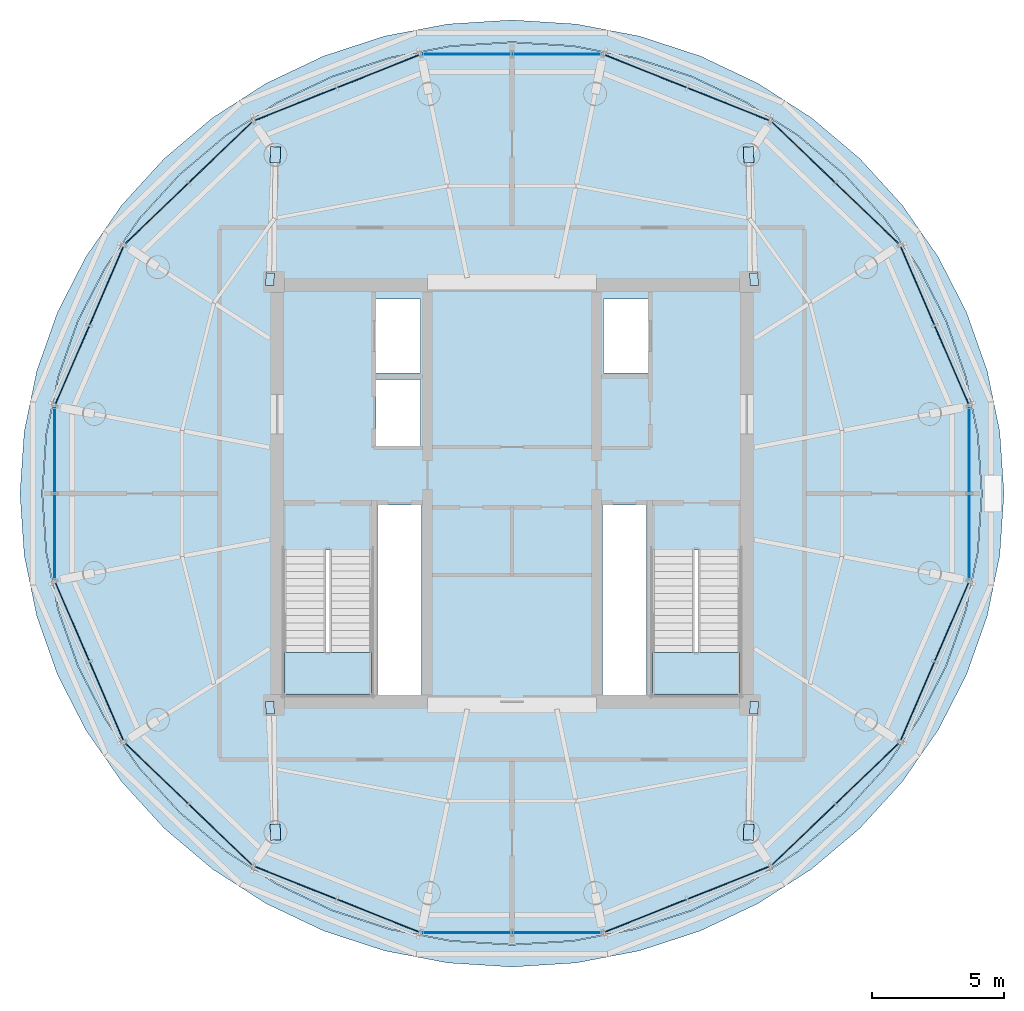
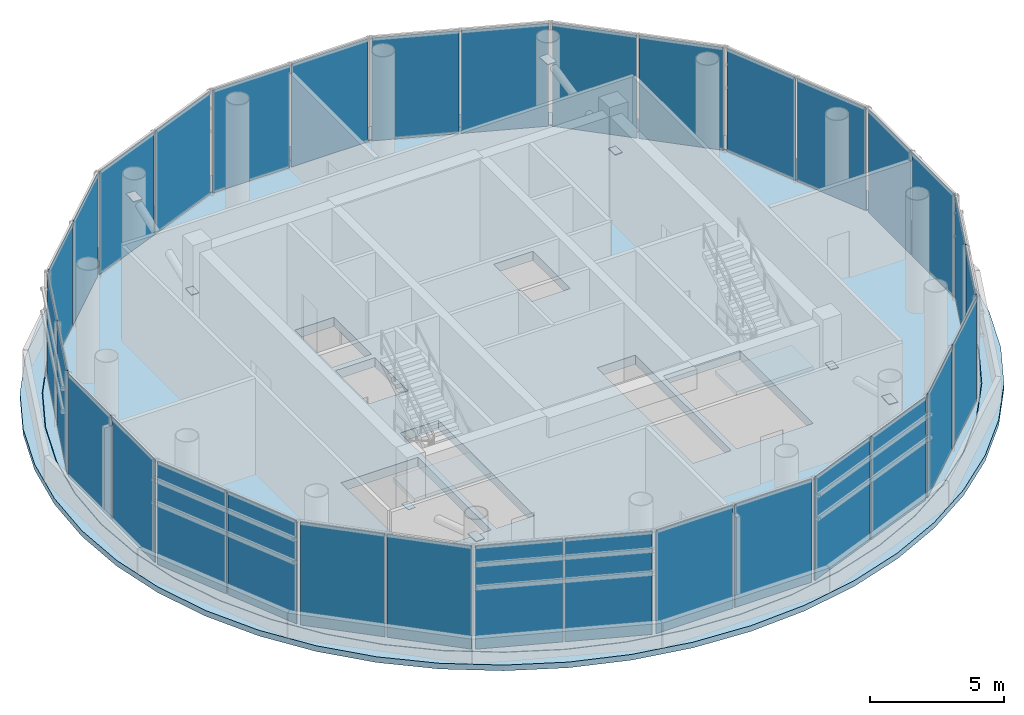
# One storey, part 10 of 15: 40 plates, 4 slabs, 18 elements without a shape of their own.
"""IFC4 building model written with IfcOpenShell, lengths in metres."""

from ifc_helpers import new_model, si_unit, direction, frame, origin, origin_2d, place, context, subcontext, project, spatial, polyline, rectangle, outline, extrude, source, transform, mapped, material, layer, layer_set, type_object, element, aggregate, save


model = new_model("IFC4")

# Units and contexts
model_context = context("Model", 3, precision=1e-05, world=origin(), true_north=direction((-0.2419218956, 0.970295726276)))
body_context = subcontext(model_context, "Body", "Model", "MODEL_VIEW")
ifc_project = project(units=[si_unit("LENGTHUNIT", "METRE"), si_unit("AREAUNIT", "SQUARE_METRE"), si_unit("VOLUMEUNIT", "CUBIC_METRE"), si_unit("PLANEANGLEUNIT", "RADIAN"), si_unit("MASSUNIT", "GRAM", prefix="KILO")], contexts=[model_context])

# Site, building, storey
site_placement = place(None, origin())
site = spatial("IfcSite", under=ifc_project, at=site_placement, CompositionType="ELEMENT")
building_placement = place(site_placement, origin())
building = spatial("IfcBuilding", under=site, at=building_placement, Name="Cobrevalo Terracotta Tower", CompositionType="ELEMENT")
storey_placement = place(building_placement, frame((0.0, 0.0, 306.10009765625)))
storey = spatial("IfcBuildingStorey", under=building, at=storey_placement, Name="L80", CompositionType="ELEMENT", Elevation=306.10009765625)

# Slab
ifc_material_1 = material(Name="Concrete C50", Category="concrete")
ifc_layer_1 = layer(ifc_material_1, 0.419921875)
ifc_layer_set_1 = layer_set([ifc_layer_1], Name="Concrete C50")
slab_type_1 = type_object("IfcSlabType", Name="Crown transfer mechanical deck 420 mm", PredefinedType="FLOOR", material=ifc_layer_set_1)
slab_1_placement = place(storey_placement, frame((0.0, 0.0, -0.420166015625)))
element("IfcSlab", 1, at=slab_1_placement, inside=storey, type_object=slab_type_1, Name="L80 indoor elliptical floor slab", PredefinedType="FLOOR", context=body_context, shape_type="SweptSolid", body=[
    extrude(outline(polyline([(55.59814453125, 24.574462890625), (55.145263671875, 22.38720703125), (54.39892578125, 20.275146484375), (53.3720703125, 18.27490234375), (52.08203125, 16.420654296875), (50.551025390625, 14.743896484375), (48.805419921875, 13.2734375), (46.875, 12.0341796875), (44.792724609375, 11.0478515625), (42.593994140625, 10.3310546875), (40.31689453125, 9.895751953125), (38.0, 9.75), (35.68310546875, 9.895751953125), (33.406005859375, 10.3310546875), (31.207275390625, 11.0478515625), (29.125, 12.0341796875), (27.194580078125, 13.2734375), (25.44873046875, 14.743896484375), (23.91796875, 16.420654296875), (22.6279296875, 18.27490234375), (21.60107421875, 20.275146484375), (20.854736328125, 22.38720703125), (20.40185546875, 24.574462890625), (20.25, 26.800048828125), (20.40185546875, 29.025390625), (20.854736328125, 31.212890625), (21.60107421875, 33.32470703125), (22.6279296875, 35.324951171875), (23.91796875, 37.179443359375), (25.44873046875, 38.856201171875), (27.194580078125, 40.32666015625), (29.125, 41.565673828125), (31.207275390625, 42.55224609375), (33.406005859375, 43.26904296875), (35.68310546875, 43.7041015625), (38.0, 43.85009765625), (40.31689453125, 43.7041015625), (42.593994140625, 43.26904296875), (44.792724609375, 42.55224609375), (46.875, 41.565673828125), (48.805419921875, 40.32666015625), (50.551025390625, 38.856201171875), (52.08203125, 37.179443359375), (53.3720703125, 35.324951171875), (54.39892578125, 33.32470703125), (55.145263671875, 31.212890625), (55.59814453125, 29.025390625), (55.75, 26.800048828125), (55.59814453125, 24.574462890625)]), holes=[polyline([(32.695068359375, 24.659912109375), (29.375, 24.659912109375), (29.375, 19.175048828125), (32.695068359375, 19.175048828125), (32.695068359375, 24.659912109375)]), polyline([(46.625, 19.175048828125), (46.625, 24.659912109375), (43.304931640625, 24.659912109375), (43.304931640625, 19.175048828125), (46.625, 19.175048828125)]), polyline([(34.574951171875, 26.360107421875), (32.919921875, 26.360107421875), (32.919921875, 19.175048828125), (34.574951171875, 19.175048828125), (34.574951171875, 26.360107421875)]), polyline([(43.080078125, 26.360107421875), (41.425048828125, 26.360107421875), (41.425048828125, 19.175048828125), (43.080078125, 19.175048828125), (43.080078125, 26.360107421875)]), polyline([(34.550048828125, 31.10009765625), (32.85009765625, 31.10009765625), (32.85009765625, 28.60009765625), (34.550048828125, 28.60009765625), (34.550048828125, 31.10009765625)]), polyline([(34.550048828125, 34.14990234375), (32.85009765625, 34.14990234375), (32.85009765625, 31.35009765625), (34.550048828125, 31.35009765625), (34.550048828125, 34.14990234375)]), polyline([(43.14990234375, 34.14990234375), (41.449951171875, 34.14990234375), (41.449951171875, 31.35009765625), (43.14990234375, 31.35009765625), (43.14990234375, 34.14990234375)])]), origin(), (0.0, 0.0, 1.0), 0.420166015625),
])

# Stair, slab
stair_type = type_object("IfcStairType", Name="Core protected escape dogleg stair 1600", PredefinedType="HALF_TURN_STAIR", material=ifc_material_1)
stair_1_placement = place(storey_placement, origin())
stair_1 = element("IfcStair", 2, at=stair_1_placement, inside=storey, type_object=stair_type, Name="L80 Protected exit stair ST-1", PredefinedType="HALF_TURN_STAIR")
ifc_layer_2 = layer(ifc_material_1, 0.199951171875)
ifc_layer_set_2 = layer_set([ifc_layer_2], Name="Concrete C50")
slab_type_2 = type_object("IfcSlabType", Name="Reinforced Concrete Stair Landing 200", PredefinedType="LANDING", material=ifc_layer_set_2)
slab_2_placement = place(storey_placement, frame((0.0, 0.0, 2.39990234375)))
slab_2 = element("IfcSlab", 3, at=slab_2_placement, type_object=slab_type_2, Name="ST-1 landing 1", PredefinedType="LANDING", context=body_context, shape_type="SweptSolid", body=[
    extrude(outline(polyline([(29.375, 20.780029296875), (29.375, 19.175048828125), (32.695068359375, 19.175048828125), (32.695068359375, 20.780029296875), (29.375, 20.780029296875)])), origin(), (0.0, 0.0, 1.0), 0.199951171875),
])
aggregate(stair_1, [slab_2])

stair_2_placement = place(storey_placement, origin())
stair_2 = element("IfcStair", 4, at=stair_2_placement, inside=storey, type_object=stair_type, Name="L80 Protected exit stair ST-2", PredefinedType="HALF_TURN_STAIR")
slab_3_placement = place(storey_placement, frame((0.0, 0.0, 2.39990234375)))
slab_3 = element("IfcSlab", 5, at=slab_3_placement, type_object=slab_type_2, Name="ST-2 landing 1", PredefinedType="LANDING", context=body_context, shape_type="SweptSolid", body=[
    extrude(outline(polyline([(43.304931640625, 20.780029296875), (43.304931640625, 19.175048828125), (46.625, 19.175048828125), (46.625, 20.780029296875), (43.304931640625, 20.780029296875)])), origin(), (0.0, 0.0, 1.0), 0.199951171875),
])
aggregate(stair_2, [slab_3])

# Slab
ifc_material_2 = material(Name="Concrete C45", Category="concrete")
ifc_layer_3 = layer(ifc_material_2, 0.260009765625)
ifc_layer_set_3 = layer_set([ifc_layer_3], Name="Concrete C45")
slab_type_3 = type_object("IfcSlabType", Name="Zone setback structural roof slab 260 mm", PredefinedType="ROOF", material=ifc_layer_set_3)
slab_4_placement = place(storey_placement, frame((0.0, 0.0, -0.260009765625)))
element("IfcSlab", 6, at=slab_4_placement, inside=storey, type_object=slab_type_3, Name="L80 zone setback roof collar slab 1", PredefinedType="ROOF", context=body_context, shape_type="SweptSolid", body=[
    extrude(outline(polyline([(56.44091796875, 24.463623046875), (55.96630859375, 22.167236328125), (55.18408203125, 19.949951171875), (54.108154296875, 17.85009765625), (52.75634765625, 15.903076171875), (51.152099609375, 14.142822265625), (49.322998046875, 12.598876953125), (47.300048828125, 11.298095703125), (45.117919921875, 10.262451171875), (42.81396484375, 9.510009765625), (40.427734375, 9.05322265625), (38.0, 8.89990234375), (35.572265625, 9.05322265625), (33.18603515625, 9.510009765625), (30.882080078125, 10.262451171875), (28.699951171875, 11.298095703125), (26.677001953125, 12.598876953125), (24.847900390625, 14.142822265625), (23.24365234375, 15.903076171875), (21.891845703125, 17.85009765625), (20.81591796875, 19.949951171875), (20.03369140625, 22.167236328125), (19.55908203125, 24.463623046875), (19.39990234375, 26.800048828125), (19.55908203125, 29.136474609375), (20.03369140625, 31.432861328125), (20.81591796875, 33.650146484375), (21.891845703125, 35.75), (23.24365234375, 37.69677734375), (24.847900390625, 39.457275390625), (26.677001953125, 41.0009765625), (28.699951171875, 42.3017578125), (30.882080078125, 43.33740234375), (33.18603515625, 44.090087890625), (35.572265625, 44.546875), (38.0, 44.699951171875), (40.427734375, 44.546875), (42.81396484375, 44.090087890625), (45.117919921875, 43.33740234375), (47.300048828125, 42.3017578125), (49.322998046875, 41.0009765625), (51.152099609375, 39.457275390625), (52.75634765625, 37.69677734375), (54.108154296875, 35.75), (55.18408203125, 33.650146484375), (55.96630859375, 31.432861328125), (56.44091796875, 29.136474609375), (56.60009765625, 26.800048828125), (56.44091796875, 24.463623046875)]), holes=[polyline([(55.617919921875, 29.028076171875), (55.16455078125, 31.218017578125), (54.417236328125, 33.33251953125), (53.38916015625, 35.3349609375), (52.097900390625, 37.191650390625), (50.565185546875, 38.870361328125), (48.817626953125, 40.342529296875), (46.885009765625, 41.5830078125), (44.80029296875, 42.570556640625), (42.59912109375, 43.288330078125), (40.3193359375, 43.723876953125), (38.0, 43.8701171875), (35.6806640625, 43.723876953125), (33.40087890625, 43.288330078125), (31.19970703125, 42.570556640625), (29.114990234375, 41.5830078125), (27.182373046875, 40.342529296875), (25.434814453125, 38.870361328125), (23.902099609375, 37.191650390625), (22.61083984375, 35.3349609375), (21.582763671875, 33.33251953125), (20.83544921875, 31.218017578125), (20.382080078125, 29.028076171875), (20.22998046875, 26.800048828125), (20.382080078125, 24.572021484375), (20.83544921875, 22.382080078125), (21.582763671875, 20.267578125), (22.61083984375, 18.264892578125), (23.902099609375, 16.408447265625), (25.434814453125, 14.729736328125), (27.182373046875, 13.257568359375), (29.114990234375, 12.016845703125), (31.19970703125, 11.029296875), (33.40087890625, 10.311767578125), (35.6806640625, 9.8759765625), (38.0, 9.72998046875), (40.3193359375, 9.8759765625), (42.59912109375, 10.311767578125), (44.80029296875, 11.029296875), (46.885009765625, 12.016845703125), (48.817626953125, 13.257568359375), (50.565185546875, 14.729736328125), (52.097900390625, 16.408447265625), (53.38916015625, 18.264892578125), (54.417236328125, 20.267578125), (55.16455078125, 22.382080078125), (55.617919921875, 24.572021484375), (55.77001953125, 26.800048828125), (55.617919921875, 29.028076171875)])]), origin(), (0.0, 0.0, 1.0), 0.260009765625),
])

# Plates
ifc_material_3 = material(Name="Steel S355", Category="steel")
ifc_layer_4 = layer(ifc_material_3, 0.02490234375)
ifc_layer_set_4 = layer_set([ifc_layer_4], Name="Steel S355")
plate_type_1 = type_object("IfcPlateType", Name="Structural Cap Plate 480x320x25 (Steel S355)", PredefinedType="USERDEFINED", material=ifc_layer_set_4)
shared_shape_1 = source(origin(), body_context, "Body", "SweptSolid", [
    extrude(rectangle(XDim=0.47998046875, YDim=0.320068359375, at=origin_2d()), origin(), (0.0, 0.0, 1.0), 0.02490234375),
])
for number, where, z_axis, x_axis, name in (
    (7, (47.14990234375, 34.89990234375, 2.737548828125), (0.0, 0.0, 1.0), (-0.043600207008, 0.99904905883, 0.0), "L80 hollow end cap plate CAP-CRN0-L80-01"),
    (8, (28.85009765625, 34.89990234375, 2.737548828125), (0.0, 0.0, 1.0), (0.043600207008, 0.99904905883, 0.0), "L80 hollow end cap plate CAP-CRN0-L80-02"),
    (9, (28.85009765625, 18.699951171875, 2.737548828125), (0.0, 0.0, 1.0), (0.043600207008, -0.99904905883, 0.0), "L80 hollow end cap plate CAP-CRN0-L80-03"),
    (10, (47.14990234375, 18.699951171875, 2.737548828125), (0.0, 0.0, 1.0), (-0.043600207008, -0.99904905883, 0.0), "L80 hollow end cap plate CAP-CRN0-L80-04"),
):
    element("IfcPlate", number, at=place(storey_placement, frame(where, z_axis=z_axis, x_axis=x_axis)), inside=storey, type_object=plate_type_1, Name=name, ObjectType="CAP PLATE", PredefinedType="USERDEFINED", context=body_context, shape_type="MappedRepresentation", body=[
        mapped(shared_shape_1, transform((0.0, 0.0, 0.0), scale=1.0)),
    ])
ifc_layer_5 = layer(ifc_material_3, 0.028076171875)
ifc_layer_set_5 = layer_set([ifc_layer_5], Name="Steel S355")
plate_type_2 = type_object("IfcPlateType", Name="Structural Gusset Plate 600x380x28 (Steel S355)", PredefinedType="SHEET", material=ifc_layer_set_5)
shared_shape_2 = source(origin(), body_context, "Body", "SweptSolid", [
    extrude(rectangle(XDim=0.60009765625, YDim=0.3798828125, at=origin_2d()), origin(), (0.0, 0.0, 1.0), 0.028076171875),
])
for number, where, z_axis, x_axis, name in (
    (11, (46.944580078125, 39.604736328125, 4.11572265625), (0.0, 0.0, 1.0), (-0.043600207008, 0.99904905883, 0.0), "L80 hollow end cap plate GUS-CRN1-L80-01"),
    (12, (29.055419921875, 39.604736328125, 4.11572265625), (0.0, 0.0, 1.0), (0.043600207008, 0.99904905883, 0.0), "L80 hollow end cap plate GUS-CRN1-L80-02"),
    (13, (29.055419921875, 13.995361328125, 4.11572265625), (0.0, 0.0, 1.0), (0.043600207008, -0.99904905883, 0.0), "L80 hollow end cap plate GUS-CRN1-L80-03"),
    (14, (46.944580078125, 13.995361328125, 4.11572265625), (0.0, 0.0, 1.0), (-0.043600207008, -0.99904905883, 0.0), "L80 hollow end cap plate GUS-CRN1-L80-04"),
):
    element("IfcPlate", number, at=place(storey_placement, frame(where, z_axis=z_axis, x_axis=x_axis)), inside=storey, type_object=plate_type_2, Name=name, PredefinedType="SHEET", context=body_context, shape_type="MappedRepresentation", body=[
        mapped(shared_shape_2, transform((0.0, 0.0, 0.0), scale=1.0)),
    ])

# Curtain wall, plates
ifc_material_4 = material(Name="Anodized aluminium", Category="aluminium")
curtain_wall_type = type_object("IfcCurtainWallType", Name="Faceted glass-point crown structural glazing system CW-CR", PredefinedType="NOTDEFINED", material=ifc_material_4)
curtain_wall_1_placement = place(storey_placement, origin())
curtain_wall_1 = element("IfcCurtainWall", 15, at=curtain_wall_1_placement, inside=storey, type_object=curtain_wall_type, Name="L80 curtain wall CW-CRN-L80-S01", PredefinedType="NOTDEFINED")
ifc_material_5 = material(Name="Structural laminated low-iron crown glass", Category="glass")
ifc_layer_6 = layer(ifc_material_5, 0.035888671875)
ifc_layer_set_6 = layer_set([ifc_layer_6], Name="Structural laminated low-iron crown glass")
plate_type_3 = type_object("IfcPlateType", Name="Crown faceted low-iron laminated glass panel 36 mm", PredefinedType="CURTAIN_PANEL", material=ifc_layer_set_6)
shared_shape_3 = source(origin(), body_context, "Body", "SweptSolid", [
    extrude(rectangle(XDim=3.203125, YDim=0.035888671875, at=origin_2d()), origin(), (0.0, 0.0, 1.0), 4.699951171875),
])
plate_1_placement = place(storey_placement, frame((54.625244140625, 31.64697265625, 0.0400390625), z_axis=(0.0, 0.0, 1.0), x_axis=(-0.396066411085, 0.91822186753, 0.0)))
plate_1 = element("IfcPlate", 16, at=plate_1_placement, type_object=plate_type_3, Name="CW-CRN-L80-S01 glazing panel B01", PredefinedType="CURTAIN_PANEL", context=body_context, shape_type="MappedRepresentation", body=[
    mapped(shared_shape_3, transform((0.0, 0.0, 0.0), scale=1.0)),
])
plate_2_placement = place(storey_placement, frame((53.324951171875, 34.66162109375, 0.0400390625), z_axis=(0.0, 0.0, 1.0), x_axis=(-0.396066411085, 0.91822186753, 0.0)))
plate_2 = element("IfcPlate", 17, at=plate_2_placement, type_object=plate_type_3, Name="CW-CRN-L80-S01 glazing panel B02", PredefinedType="CURTAIN_PANEL", context=body_context, shape_type="MappedRepresentation", body=[
    mapped(shared_shape_3, transform((0.0, 0.0, 0.0), scale=1.0)),
])
aggregate(curtain_wall_1, [plate_1, plate_2])

curtain_wall_2_placement = place(storey_placement, origin())
curtain_wall_2 = element("IfcCurtainWall", 18, at=curtain_wall_2_placement, inside=storey, type_object=curtain_wall_type, Name="L80 curtain wall CW-CRN-L80-S07", PredefinedType="NOTDEFINED")
plate_3_placement = place(storey_placement, frame((22.675048828125, 34.66162109375, 0.0400390625), z_axis=(0.0, 0.0, 1.0), x_axis=(-0.396066411085, -0.91822186753, 0.0)))
plate_3 = element("IfcPlate", 19, at=plate_3_placement, type_object=plate_type_3, Name="CW-CRN-L80-S07 glazing panel B01", PredefinedType="CURTAIN_PANEL", context=body_context, shape_type="MappedRepresentation", body=[
    mapped(shared_shape_3, transform((0.0, 0.0, 0.0), scale=1.0)),
])
plate_4_placement = place(storey_placement, frame((21.374755859375, 31.64697265625, 0.0400390625), z_axis=(0.0, 0.0, 1.0), x_axis=(-0.396066411085, -0.91822186753, 0.0)))
plate_4 = element("IfcPlate", 20, at=plate_4_placement, type_object=plate_type_3, Name="CW-CRN-L80-S07 glazing panel B02", PredefinedType="CURTAIN_PANEL", context=body_context, shape_type="MappedRepresentation", body=[
    mapped(shared_shape_3, transform((0.0, 0.0, 0.0), scale=1.0)),
])
aggregate(curtain_wall_2, [plate_3, plate_4])

curtain_wall_3_placement = place(storey_placement, origin())
curtain_wall_3 = element("IfcCurtainWall", 21, at=curtain_wall_3_placement, inside=storey, type_object=curtain_wall_type, Name="L80 curtain wall CW-CRN-L80-S09", PredefinedType="NOTDEFINED")
plate_5_placement = place(storey_placement, frame((21.374755859375, 21.953125, 0.0400390625), z_axis=(0.0, 0.0, 1.0), x_axis=(0.396066411085, -0.91822186753, 0.0)))
plate_5 = element("IfcPlate", 22, at=plate_5_placement, type_object=plate_type_3, Name="CW-CRN-L80-S09 glazing panel B01", PredefinedType="CURTAIN_PANEL", context=body_context, shape_type="MappedRepresentation", body=[
    mapped(shared_shape_3, transform((0.0, 0.0, 0.0), scale=1.0)),
])
plate_6_placement = place(storey_placement, frame((22.675048828125, 18.938232421875, 0.0400390625), z_axis=(0.0, 0.0, 1.0), x_axis=(0.396066411085, -0.91822186753, 0.0)))
plate_6 = element("IfcPlate", 23, at=plate_6_placement, type_object=plate_type_3, Name="CW-CRN-L80-S09 glazing panel B02", PredefinedType="CURTAIN_PANEL", context=body_context, shape_type="MappedRepresentation", body=[
    mapped(shared_shape_3, transform((0.0, 0.0, 0.0), scale=1.0)),
])
aggregate(curtain_wall_3, [plate_5, plate_6])

curtain_wall_4_placement = place(storey_placement, origin())
curtain_wall_4 = element("IfcCurtainWall", 24, at=curtain_wall_4_placement, inside=storey, type_object=curtain_wall_type, Name="L80 curtain wall CW-CRN-L80-S15", PredefinedType="NOTDEFINED")
plate_7_placement = place(storey_placement, frame((53.324951171875, 18.938232421875, 0.0400390625), z_axis=(0.0, 0.0, 1.0), x_axis=(0.396066411085, 0.91822186753, 0.0)))
plate_7 = element("IfcPlate", 25, at=plate_7_placement, type_object=plate_type_3, Name="CW-CRN-L80-S15 glazing panel B01", PredefinedType="CURTAIN_PANEL", context=body_context, shape_type="MappedRepresentation", body=[
    mapped(shared_shape_3, transform((0.0, 0.0, 0.0), scale=1.0)),
])
plate_8_placement = place(storey_placement, frame((54.625244140625, 21.953125, 0.0400390625), z_axis=(0.0, 0.0, 1.0), x_axis=(0.396066411085, 0.91822186753, 0.0)))
plate_8 = element("IfcPlate", 26, at=plate_8_placement, type_object=plate_type_3, Name="CW-CRN-L80-S15 glazing panel B02", PredefinedType="CURTAIN_PANEL", context=body_context, shape_type="MappedRepresentation", body=[
    mapped(shared_shape_3, transform((0.0, 0.0, 0.0), scale=1.0)),
])
aggregate(curtain_wall_4, [plate_7, plate_8])

curtain_wall_5_placement = place(storey_placement, origin())
curtain_wall_5 = element("IfcCurtainWall", 27, at=curtain_wall_5_placement, inside=storey, type_object=curtain_wall_type, Name="L80 curtain wall CW-CRN-L80-S02", PredefinedType="NOTDEFINED")
shared_shape_4 = source(origin(), body_context, "Body", "SweptSolid", [
    extrude(rectangle(XDim=3.251953125, YDim=0.035888671875, at=origin_2d()), origin(), (0.0, 0.0, 1.0), 4.699951171875),
])
plate_9_placement = place(storey_placement, frame((51.428466796875, 37.387451171875, 0.0400390625), z_axis=(0.0, 0.0, 1.0), x_axis=(-0.721280471839, 0.692643112248, 0.0)))
plate_9 = element("IfcPlate", 28, at=plate_9_placement, type_object=plate_type_3, Name="CW-CRN-L80-S02 glazing panel B01", PredefinedType="CURTAIN_PANEL", context=body_context, shape_type="MappedRepresentation", body=[
    mapped(shared_shape_4, transform((0.0, 0.0, 0.0), scale=1.0)),
])
plate_10_placement = place(storey_placement, frame((49.025146484375, 39.695068359375, 0.0400390625), z_axis=(0.0, 0.0, 1.0), x_axis=(-0.721280471839, 0.692643112248, 0.0)))
plate_10 = element("IfcPlate", 29, at=plate_10_placement, type_object=plate_type_3, Name="CW-CRN-L80-S02 glazing panel B02", PredefinedType="CURTAIN_PANEL", context=body_context, shape_type="MappedRepresentation", body=[
    mapped(shared_shape_4, transform((0.0, 0.0, 0.0), scale=1.0)),
])
aggregate(curtain_wall_5, [plate_9, plate_10])

curtain_wall_6_placement = place(storey_placement, origin())
curtain_wall_6 = element("IfcCurtainWall", 30, at=curtain_wall_6_placement, inside=storey, type_object=curtain_wall_type, Name="L80 curtain wall CW-CRN-L80-S06", PredefinedType="NOTDEFINED")
plate_11_placement = place(storey_placement, frame((26.974853515625, 39.695068359375, 0.0400390625), z_axis=(0.0, 0.0, 1.0), x_axis=(-0.721280471839, -0.692643112248, 0.0)))
plate_11 = element("IfcPlate", 31, at=plate_11_placement, type_object=plate_type_3, Name="CW-CRN-L80-S06 glazing panel B01", PredefinedType="CURTAIN_PANEL", context=body_context, shape_type="MappedRepresentation", body=[
    mapped(shared_shape_4, transform((0.0, 0.0, 0.0), scale=1.0)),
])
plate_12_placement = place(storey_placement, frame((24.571533203125, 37.387451171875, 0.0400390625), z_axis=(0.0, 0.0, 1.0), x_axis=(-0.721280471839, -0.692643112248, 0.0)))
plate_12 = element("IfcPlate", 32, at=plate_12_placement, type_object=plate_type_3, Name="CW-CRN-L80-S06 glazing panel B02", PredefinedType="CURTAIN_PANEL", context=body_context, shape_type="MappedRepresentation", body=[
    mapped(shared_shape_4, transform((0.0, 0.0, 0.0), scale=1.0)),
])
aggregate(curtain_wall_6, [plate_11, plate_12])

curtain_wall_7_placement = place(storey_placement, origin())
curtain_wall_7 = element("IfcCurtainWall", 33, at=curtain_wall_7_placement, inside=storey, type_object=curtain_wall_type, Name="L80 curtain wall CW-CRN-L80-S10", PredefinedType="NOTDEFINED")
plate_13_placement = place(storey_placement, frame((24.571533203125, 16.212646484375, 0.0400390625), z_axis=(0.0, 0.0, 1.0), x_axis=(0.721280471839, -0.692643112248, 0.0)))
plate_13 = element("IfcPlate", 34, at=plate_13_placement, type_object=plate_type_3, Name="CW-CRN-L80-S10 glazing panel B01", PredefinedType="CURTAIN_PANEL", context=body_context, shape_type="MappedRepresentation", body=[
    mapped(shared_shape_4, transform((0.0, 0.0, 0.0), scale=1.0)),
])
plate_14_placement = place(storey_placement, frame((26.974853515625, 13.90478515625, 0.0400390625), z_axis=(0.0, 0.0, 1.0), x_axis=(0.721280471839, -0.692643112248, 0.0)))
plate_14 = element("IfcPlate", 35, at=plate_14_placement, type_object=plate_type_3, Name="CW-CRN-L80-S10 glazing panel B02", PredefinedType="CURTAIN_PANEL", context=body_context, shape_type="MappedRepresentation", body=[
    mapped(shared_shape_4, transform((0.0, 0.0, 0.0), scale=1.0)),
])
aggregate(curtain_wall_7, [plate_13, plate_14])

curtain_wall_8_placement = place(storey_placement, origin())
curtain_wall_8 = element("IfcCurtainWall", 36, at=curtain_wall_8_placement, inside=storey, type_object=curtain_wall_type, Name="L80 curtain wall CW-CRN-L80-S14", PredefinedType="NOTDEFINED")
plate_15_placement = place(storey_placement, frame((49.025146484375, 13.90478515625, 0.0400390625), z_axis=(0.0, 0.0, 1.0), x_axis=(0.721280471839, 0.692643112248, 0.0)))
plate_15 = element("IfcPlate", 37, at=plate_15_placement, type_object=plate_type_3, Name="CW-CRN-L80-S14 glazing panel B01", PredefinedType="CURTAIN_PANEL", context=body_context, shape_type="MappedRepresentation", body=[
    mapped(shared_shape_4, transform((0.0, 0.0, 0.0), scale=1.0)),
])
plate_16_placement = place(storey_placement, frame((51.428466796875, 16.212646484375, 0.0400390625), z_axis=(0.0, 0.0, 1.0), x_axis=(0.721280471839, 0.692643112248, 0.0)))
plate_16 = element("IfcPlate", 38, at=plate_16_placement, type_object=plate_type_3, Name="CW-CRN-L80-S14 glazing panel B02", PredefinedType="CURTAIN_PANEL", context=body_context, shape_type="MappedRepresentation", body=[
    mapped(shared_shape_4, transform((0.0, 0.0, 0.0), scale=1.0)),
])
aggregate(curtain_wall_8, [plate_15, plate_16])

curtain_wall_9_placement = place(storey_placement, origin())
curtain_wall_9 = element("IfcCurtainWall", 39, at=curtain_wall_9_placement, inside=storey, type_object=curtain_wall_type, Name="L80 curtain wall CW-CRN-L80-S03", PredefinedType="NOTDEFINED")
shared_shape_5 = source(origin(), body_context, "Body", "SweptSolid", [
    extrude(rectangle(XDim=3.2998046875, YDim=0.035888671875, at=origin_2d()), origin(), (0.0, 0.0, 1.0), 4.699951171875),
])
plate_17_placement = place(storey_placement, frame((46.187255859375, 41.51611328125, 0.0400390625), z_axis=(0.0, 0.0, 1.0), x_axis=(-0.929190639756, 0.36960080491, 0.0)))
plate_17 = element("IfcPlate", 40, at=plate_17_placement, type_object=plate_type_3, Name="CW-CRN-L80-S03 glazing panel B01", PredefinedType="CURTAIN_PANEL", context=body_context, shape_type="MappedRepresentation", body=[
    mapped(shared_shape_5, transform((0.0, 0.0, 0.0), scale=1.0)),
])
plate_18_placement = place(storey_placement, frame((43.046875, 42.765380859375, 0.0400390625), z_axis=(0.0, 0.0, 1.0), x_axis=(-0.929190639756, 0.36960080491, 0.0)))
plate_18 = element("IfcPlate", 41, at=plate_18_placement, type_object=plate_type_3, Name="CW-CRN-L80-S03 glazing panel B02", PredefinedType="CURTAIN_PANEL", context=body_context, shape_type="MappedRepresentation", body=[
    mapped(shared_shape_5, transform((0.0, 0.0, 0.0), scale=1.0)),
])
aggregate(curtain_wall_9, [plate_17, plate_18])

curtain_wall_10_placement = place(storey_placement, origin())
curtain_wall_10 = element("IfcCurtainWall", 42, at=curtain_wall_10_placement, inside=storey, type_object=curtain_wall_type, Name="L80 curtain wall CW-CRN-L80-S05", PredefinedType="NOTDEFINED")
plate_19_placement = place(storey_placement, frame((32.953125, 42.765380859375, 0.0400390625), z_axis=(0.0, 0.0, 1.0), x_axis=(-0.929190639756, -0.36960080491, 0.0)))
plate_19 = element("IfcPlate", 43, at=plate_19_placement, type_object=plate_type_3, Name="CW-CRN-L80-S05 glazing panel B01", PredefinedType="CURTAIN_PANEL", context=body_context, shape_type="MappedRepresentation", body=[
    mapped(shared_shape_5, transform((0.0, 0.0, 0.0), scale=1.0)),
])
plate_20_placement = place(storey_placement, frame((29.812744140625, 41.51611328125, 0.0400390625), z_axis=(0.0, 0.0, 1.0), x_axis=(-0.929190639756, -0.36960080491, 0.0)))
plate_20 = element("IfcPlate", 44, at=plate_20_placement, type_object=plate_type_3, Name="CW-CRN-L80-S05 glazing panel B02", PredefinedType="CURTAIN_PANEL", context=body_context, shape_type="MappedRepresentation", body=[
    mapped(shared_shape_5, transform((0.0, 0.0, 0.0), scale=1.0)),
])
aggregate(curtain_wall_10, [plate_19, plate_20])

curtain_wall_11_placement = place(storey_placement, origin())
curtain_wall_11 = element("IfcCurtainWall", 45, at=curtain_wall_11_placement, inside=storey, type_object=curtain_wall_type, Name="L80 curtain wall CW-CRN-L80-S11", PredefinedType="NOTDEFINED")
plate_21_placement = place(storey_placement, frame((29.812744140625, 12.083740234375, 0.0400390625), z_axis=(0.0, 0.0, 1.0), x_axis=(0.929190639756, -0.36960080491, 0.0)))
plate_21 = element("IfcPlate", 46, at=plate_21_placement, type_object=plate_type_3, Name="CW-CRN-L80-S11 glazing panel B01", PredefinedType="CURTAIN_PANEL", context=body_context, shape_type="MappedRepresentation", body=[
    mapped(shared_shape_5, transform((0.0, 0.0, 0.0), scale=1.0)),
])
plate_22_placement = place(storey_placement, frame((32.953125, 10.834716796875, 0.0400390625), z_axis=(0.0, 0.0, 1.0), x_axis=(0.929190639756, -0.36960080491, 0.0)))
plate_22 = element("IfcPlate", 47, at=plate_22_placement, type_object=plate_type_3, Name="CW-CRN-L80-S11 glazing panel B02", PredefinedType="CURTAIN_PANEL", context=body_context, shape_type="MappedRepresentation", body=[
    mapped(shared_shape_5, transform((0.0, 0.0, 0.0), scale=1.0)),
])
aggregate(curtain_wall_11, [plate_21, plate_22])

curtain_wall_12_placement = place(storey_placement, origin())
curtain_wall_12 = element("IfcCurtainWall", 48, at=curtain_wall_12_placement, inside=storey, type_object=curtain_wall_type, Name="L80 curtain wall CW-CRN-L80-S13", PredefinedType="NOTDEFINED")
plate_23_placement = place(storey_placement, frame((43.046875, 10.834716796875, 0.0400390625), z_axis=(0.0, 0.0, 1.0), x_axis=(0.929190639756, 0.36960080491, 0.0)))
plate_23 = element("IfcPlate", 49, at=plate_23_placement, type_object=plate_type_3, Name="CW-CRN-L80-S13 glazing panel B01", PredefinedType="CURTAIN_PANEL", context=body_context, shape_type="MappedRepresentation", body=[
    mapped(shared_shape_5, transform((0.0, 0.0, 0.0), scale=1.0)),
])
plate_24_placement = place(storey_placement, frame((46.187255859375, 12.083740234375, 0.0400390625), z_axis=(0.0, 0.0, 1.0), x_axis=(0.929190639756, 0.36960080491, 0.0)))
plate_24 = element("IfcPlate", 50, at=plate_24_placement, type_object=plate_type_3, Name="CW-CRN-L80-S13 glazing panel B02", PredefinedType="CURTAIN_PANEL", context=body_context, shape_type="MappedRepresentation", body=[
    mapped(shared_shape_5, transform((0.0, 0.0, 0.0), scale=1.0)),
])
aggregate(curtain_wall_12, [plate_23, plate_24])

curtain_wall_13_placement = place(storey_placement, origin())
curtain_wall_13 = element("IfcCurtainWall", 51, at=curtain_wall_13_placement, inside=storey, type_object=curtain_wall_type, Name="L80 curtain wall CW-CRN-L80-S04", PredefinedType="NOTDEFINED")
shared_shape_6 = source(origin(), body_context, "Body", "SweptSolid", [
    extrude(rectangle(XDim=3.3193359375, YDim=0.035888671875, at=origin_2d()), origin(), (0.0, 0.0, 1.0), 4.699951171875),
])
plate_25_placement = place(storey_placement, frame((39.69970703125, 43.40478515625, 0.0400390625), z_axis=(0.0, 0.0, 1.0), x_axis=(-1.0, 0.0, 0.0)))
plate_25 = element("IfcPlate", 52, at=plate_25_placement, type_object=plate_type_3, Name="CW-CRN-L80-S04 glazing panel B01", PredefinedType="CURTAIN_PANEL", context=body_context, shape_type="MappedRepresentation", body=[
    mapped(shared_shape_6, transform((0.0, 0.0, 0.0), scale=1.0)),
])
plate_26_placement = place(storey_placement, frame((36.30029296875, 43.40478515625, 0.0400390625), z_axis=(0.0, 0.0, 1.0), x_axis=(-1.0, 0.0, 0.0)))
plate_26 = element("IfcPlate", 53, at=plate_26_placement, type_object=plate_type_3, Name="CW-CRN-L80-S04 glazing panel B02", PredefinedType="CURTAIN_PANEL", context=body_context, shape_type="MappedRepresentation", body=[
    mapped(shared_shape_6, transform((0.0, 0.0, 0.0), scale=1.0)),
])
aggregate(curtain_wall_13, [plate_25, plate_26])

curtain_wall_14_placement = place(storey_placement, origin())
curtain_wall_14 = element("IfcCurtainWall", 54, at=curtain_wall_14_placement, inside=storey, type_object=curtain_wall_type, Name="L80 curtain wall CW-CRN-L80-S12", PredefinedType="NOTDEFINED")
plate_27_placement = place(storey_placement, frame((36.30029296875, 10.1953125, 0.0400390625), z_axis=(0.0, 0.0, 1.0), x_axis=(1.0, 0.0, 0.0)))
plate_27 = element("IfcPlate", 55, at=plate_27_placement, type_object=plate_type_3, Name="CW-CRN-L80-S12 glazing panel B01", PredefinedType="CURTAIN_PANEL", context=body_context, shape_type="MappedRepresentation", body=[
    mapped(shared_shape_6, transform((0.0, 0.0, 0.0), scale=1.0)),
])
plate_28_placement = place(storey_placement, frame((39.69970703125, 10.1953125, 0.0400390625), z_axis=(0.0, 0.0, 1.0), x_axis=(1.0, 0.0, 0.0)))
plate_28 = element("IfcPlate", 56, at=plate_28_placement, type_object=plate_type_3, Name="CW-CRN-L80-S12 glazing panel B02", PredefinedType="CURTAIN_PANEL", context=body_context, shape_type="MappedRepresentation", body=[
    mapped(shared_shape_6, transform((0.0, 0.0, 0.0), scale=1.0)),
])
aggregate(curtain_wall_14, [plate_27, plate_28])

curtain_wall_15_placement = place(storey_placement, origin())
curtain_wall_15 = element("IfcCurtainWall", 57, at=curtain_wall_15_placement, inside=storey, type_object=curtain_wall_type, Name="L80 curtain wall CW-CRN-L80-S08", PredefinedType="NOTDEFINED")
shared_shape_7 = source(origin(), body_context, "Body", "SweptSolid", [
    extrude(rectangle(XDim=3.182861328125, YDim=0.035888671875, at=origin_2d()), origin(), (0.0, 0.0, 1.0), 4.699951171875),
])
plate_29_placement = place(storey_placement, frame((20.708740234375, 28.431396484375, 0.0400390625), z_axis=(0.0, 0.0, 1.0), x_axis=(0.0, -1.0, 0.0)))
plate_29 = element("IfcPlate", 58, at=plate_29_placement, type_object=plate_type_3, Name="CW-CRN-L80-S08 glazing panel B01", PredefinedType="CURTAIN_PANEL", context=body_context, shape_type="MappedRepresentation", body=[
    mapped(shared_shape_7, transform((0.0, 0.0, 0.0), scale=1.0)),
])
plate_30_placement = place(storey_placement, frame((20.708740234375, 25.16845703125, 0.0400390625), z_axis=(0.0, 0.0, 1.0), x_axis=(0.0, -1.0, 0.0)))
plate_30 = element("IfcPlate", 59, at=plate_30_placement, type_object=plate_type_3, Name="CW-CRN-L80-S08 glazing panel B02", PredefinedType="CURTAIN_PANEL", context=body_context, shape_type="MappedRepresentation", body=[
    mapped(shared_shape_7, transform((0.0, 0.0, 0.0), scale=1.0)),
])
aggregate(curtain_wall_15, [plate_29, plate_30])

curtain_wall_16_placement = place(storey_placement, origin())
curtain_wall_16 = element("IfcCurtainWall", 60, at=curtain_wall_16_placement, inside=storey, type_object=curtain_wall_type, Name="L80 curtain wall CW-CRN-L80-S16", PredefinedType="NOTDEFINED")
plate_31_placement = place(storey_placement, frame((55.291259765625, 25.16845703125, 0.0400390625), z_axis=(0.0, 0.0, 1.0), x_axis=(0.0, 1.0, 0.0)))
plate_31 = element("IfcPlate", 61, at=plate_31_placement, type_object=plate_type_3, Name="CW-CRN-L80-S16 glazing panel B01", PredefinedType="CURTAIN_PANEL", context=body_context, shape_type="MappedRepresentation", body=[
    mapped(shared_shape_7, transform((0.0, 0.0, 0.0), scale=1.0)),
])
plate_32_placement = place(storey_placement, frame((55.291259765625, 28.431396484375, 0.0400390625), z_axis=(0.0, 0.0, 1.0), x_axis=(0.0, 1.0, 0.0)))
plate_32 = element("IfcPlate", 62, at=plate_32_placement, type_object=plate_type_3, Name="CW-CRN-L80-S16 glazing panel B02", PredefinedType="CURTAIN_PANEL", context=body_context, shape_type="MappedRepresentation", body=[
    mapped(shared_shape_7, transform((0.0, 0.0, 0.0), scale=1.0)),
])
aggregate(curtain_wall_16, [plate_31, plate_32])

save(model, "model.ifc")
